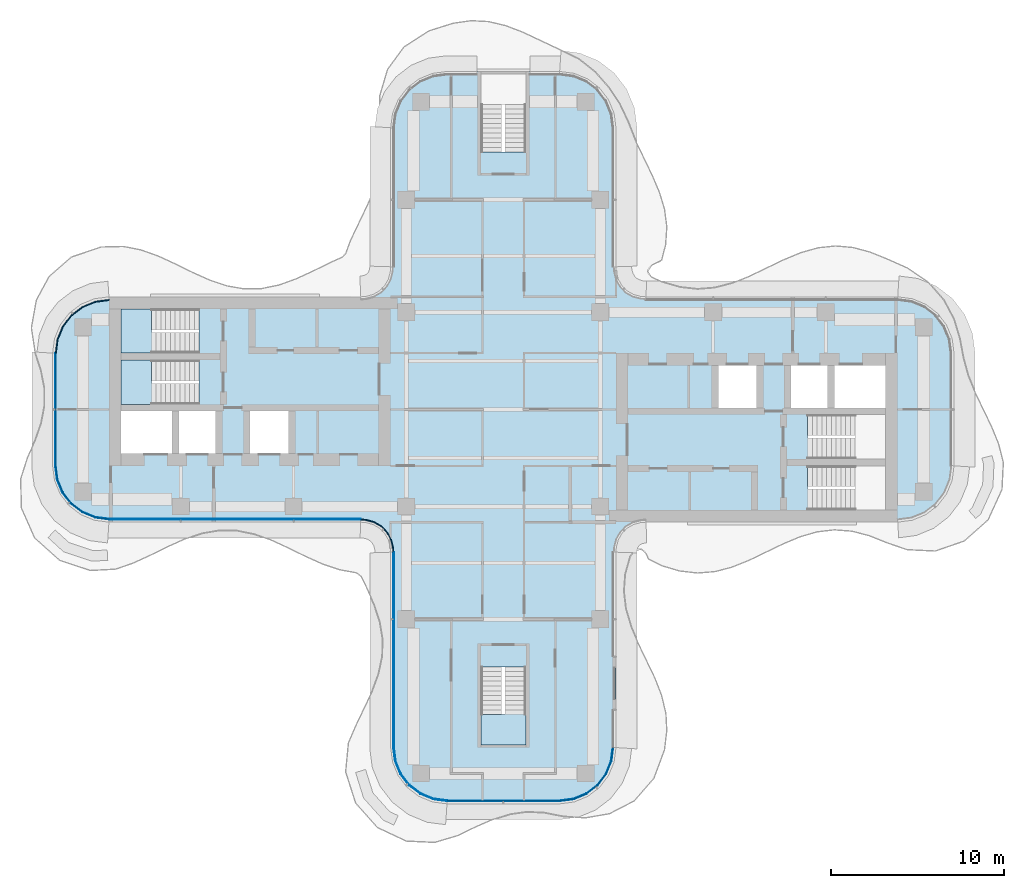
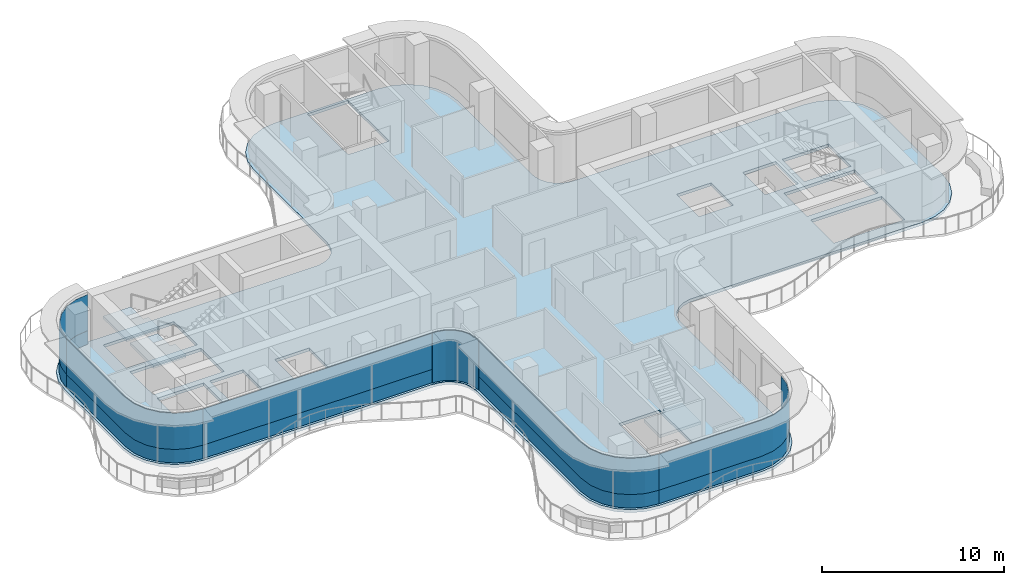
# One storey, part 8 of 15: 11 plates, 4 slabs, 9 elements without a shape of their own.
"""IFC4 building model written with IfcOpenShell, lengths in metres."""

from ifc_helpers import new_model, si_unit, direction, frame, origin, place, context, subcontext, project, spatial, polyline, outline, extrude, source, transform, mapped, material, layer, layer_set, type_object, element, aggregate, save


model = new_model("IFC4")

# Units and contexts
model_context = context("Model", 3, precision=1e-05, world=origin(), true_north=direction((0.0, 1.0)))
body_context = subcontext(model_context, "Body", "Model", "MODEL_VIEW")
ifc_project = project(units=[si_unit("LENGTHUNIT", "METRE"), si_unit("AREAUNIT", "SQUARE_METRE"), si_unit("VOLUMEUNIT", "CUBIC_METRE"), si_unit("PLANEANGLEUNIT", "RADIAN"), si_unit("MASSUNIT", "GRAM", prefix="KILO")], contexts=[model_context])

# Site, building, storey
site_placement = place(None, origin())
site = spatial("IfcSite", under=ifc_project, at=site_placement, CompositionType="ELEMENT")
building_placement = place(site_placement, origin())
building = spatial("IfcBuilding", under=site, at=building_placement, Name="Trellis Farm Tower", CompositionType="ELEMENT")
storey_placement = place(building_placement, frame((0.0, 0.0, 326.199951171875)))
storey = spatial("IfcBuildingStorey", under=building, at=storey_placement, Name="L74", CompositionType="ELEMENT", Elevation=326.199951171875)

# Curtain wall, plate
ifc_material_1 = material(Name="Aluminium and glass curtain wall", Category="aluminium")
ifc_layer_1 = layer(ifc_material_1, 0.18994140625)
ifc_layer_set_1 = layer_set([ifc_layer_1], Name="RIBBON CURTAIN WALL CW1")
curtain_wall_type_1 = type_object("IfcCurtainWallType", Name="RIBBON CURTAIN WALL CW1", PredefinedType="NOTDEFINED", material=ifc_layer_set_1)
placement_1 = place(storey_placement, origin())
curtain_wall_1 = element("IfcCurtainWall", 1, at=placement_1, inside=storey, type_object=curtain_wall_type_1, Name="CW1 001", PredefinedType="NOTDEFINED")
ifc_material_2 = material(Name="Clear insulated glass", Category="glass")
ifc_layer_2 = layer(ifc_material_2, 0.0400390625)
ifc_layer_set_2 = layer_set([ifc_layer_2], Name="CW1 GLASS PANEL 40")
plate_type_1 = type_object("IfcPlateType", Name="CW1 GLASS PANEL 40", PredefinedType="CURTAIN_PANEL", material=ifc_layer_set_2)
placement_2 = place(storey_placement, frame((0.0, 0.0, 0.900146484375)))
plate_1 = element("IfcPlate", 2, at=placement_2, type_object=plate_type_1, Name="PL1 001", PredefinedType="CURTAIN_PANEL", context=body_context, shape_type="SweptSolid", body=[
    extrude(outline(polyline([(-22.740234375, -6.35009765625), (-8.2265625, -6.35009765625), (-8.22509765625, -6.31005859375), (-22.737548828125, -6.31005859375), (-22.740234375, -6.35009765625)])), origin(), (0.0, 0.0, 1.0), 2.419921875),
])

curtain_wall_2 = element("IfcCurtainWall", 3, at=placement_1, inside=storey, type_object=curtain_wall_type_1, Name="CW1 002", PredefinedType="NOTDEFINED")
plate_2 = element("IfcPlate", 4, at=placement_2, type_object=plate_type_1, Name="PL1 002", PredefinedType="CURTAIN_PANEL", context=body_context, shape_type="SweptSolid", body=[
    extrude(outline(polyline([(-6.35009765625, -8.2265625), (-6.35009765625, -19.490234375), (-6.2431640625, -20.302001953125), (-5.93359375, -21.04931640625), (-5.441162109375, -21.691162109375), (-4.79931640625, -22.18359375), (-4.052001953125, -22.4931640625), (-3.240234375, -22.60009765625), (-3.237548828125, -22.56005859375), (-4.04150390625, -22.4541015625), (-4.779296875, -22.148681640625), (-5.41259765625, -21.66259765625), (-5.898681640625, -21.029296875), (-6.2041015625, -20.29150390625), (-6.31005859375, -19.487548828125), (-6.31005859375, -8.22509765625), (-6.35009765625, -8.2265625)])), origin(), (0.0, 0.0, 1.0), 2.419921875),
])

curtain_wall_3 = element("IfcCurtainWall", 5, at=placement_1, inside=storey, type_object=curtain_wall_type_1, Name="CW1 003", PredefinedType="NOTDEFINED")
plate_3 = element("IfcPlate", 6, at=placement_2, type_object=plate_type_1, Name="PL1 003", PredefinedType="CURTAIN_PANEL", context=body_context, shape_type="SweptSolid", body=[
    extrude(outline(polyline([(-3.240234375, -22.60009765625), (3.240234375, -22.60009765625), (4.052001953125, -22.4931640625), (4.79931640625, -22.18359375), (5.441162109375, -21.691162109375), (5.93359375, -21.04931640625), (6.2431640625, -20.302001953125), (6.35009765625, -19.490234375), (6.31005859375, -19.487548828125), (6.2041015625, -20.29150390625), (5.898681640625, -21.029296875), (5.41259765625, -21.66259765625), (4.779296875, -22.148681640625), (4.04150390625, -22.4541015625), (3.237548828125, -22.56005859375), (-3.237548828125, -22.56005859375), (-3.240234375, -22.60009765625)])), origin(), (0.0, 0.0, 1.0), 2.419921875),
])

curtain_wall_4 = element("IfcCurtainWall", 7, at=placement_1, inside=storey, type_object=curtain_wall_type_1, Name="CW1 013", PredefinedType="NOTDEFINED")
plate_4 = element("IfcPlate", 8, at=placement_2, type_object=plate_type_1, Name="PL1 013", PredefinedType="CURTAIN_PANEL", context=body_context, shape_type="SweptSolid", body=[
    extrude(outline(polyline([(-22.740234375, 6.35009765625), (-23.552001953125, 6.2431640625), (-24.29931640625, 5.93359375), (-24.941162109375, 5.441162109375), (-25.43359375, 4.79931640625), (-25.7431640625, 4.052001953125), (-25.85009765625, 3.240234375), (-25.81005859375, 3.237548828125), (-25.7041015625, 4.04150390625), (-25.398681640625, 4.779296875), (-24.91259765625, 5.41259765625), (-24.279296875, 5.898681640625), (-23.54150390625, 6.2041015625), (-22.737548828125, 6.31005859375), (-22.740234375, 6.35009765625)])), origin(), (0.0, 0.0, 1.0), 2.419921875),
])

curtain_wall_5 = element("IfcCurtainWall", 9, at=placement_1, inside=storey, type_object=curtain_wall_type_1, Name="CW1 014", PredefinedType="NOTDEFINED")
plate_5 = element("IfcPlate", 10, at=placement_2, type_object=plate_type_1, Name="PL1 014", PredefinedType="CURTAIN_PANEL", context=body_context, shape_type="SweptSolid", body=[
    extrude(outline(polyline([(-25.85009765625, 3.240234375), (-25.85009765625, -3.240234375), (-25.7431640625, -4.052001953125), (-25.43359375, -4.79931640625), (-24.941162109375, -5.441162109375), (-24.29931640625, -5.93359375), (-23.552001953125, -6.2431640625), (-22.740234375, -6.35009765625), (-22.737548828125, -6.31005859375), (-23.54150390625, -6.2041015625), (-24.279296875, -5.898681640625), (-24.91259765625, -5.41259765625), (-25.398681640625, -4.779296875), (-25.7041015625, -4.04150390625), (-25.81005859375, -3.237548828125), (-25.81005859375, 3.237548828125), (-25.85009765625, 3.240234375)])), origin(), (0.0, 0.0, 1.0), 2.419921875),
])

ifc_layer_3 = layer(ifc_material_1, 0.166015625)
ifc_layer_set_3 = layer_set([ifc_layer_3], Name="WINTER GARDEN CURTAIN WALL CW3")
curtain_wall_type_2 = type_object("IfcCurtainWallType", Name="WINTER GARDEN CURTAIN WALL CW3", PredefinedType="NOTDEFINED", material=ifc_layer_set_3)
curtain_wall_6 = element("IfcCurtainWall", 11, at=placement_1, inside=storey, type_object=curtain_wall_type_2, Name="CW3 001", PredefinedType="NOTDEFINED")
ifc_layer_4 = layer(ifc_material_2, 0.0458984375)
ifc_layer_set_4 = layer_set([ifc_layer_4], Name="CW3 GLASS PANEL 46")
plate_type_2 = type_object("IfcPlateType", Name="CW3 GLASS PANEL 46", PredefinedType="CURTAIN_PANEL", material=ifc_layer_set_4)
plate_6 = element("IfcPlate", 12, at=placement_1, type_object=plate_type_2, Name="PL3 001", PredefinedType="CURTAIN_PANEL", context=body_context, shape_type="SweptSolid", body=[
    extrude(outline(polyline([(-8.2275390625, -6.3798828125), (-8.0078125, -6.394287109375), (-7.89208984375, -6.40966796875), (-7.462158203125, -6.52490234375), (-7.070556640625, -6.7509765625), (-6.7509765625, -7.070556640625), (-6.52490234375, -7.462158203125), (-6.40966796875, -7.89208984375), (-6.394287109375, -8.0078125), (-6.3798828125, -8.2275390625), (-6.333984375, -8.22607421875), (-6.3486328125, -8.003173828125), (-6.364501953125, -7.883056640625), (-6.48193359375, -7.4443359375), (-6.714111328125, -7.04248046875), (-7.04248046875, -6.714111328125), (-7.4443359375, -6.48193359375), (-7.883056640625, -6.364501953125), (-8.003173828125, -6.3486328125), (-8.22607421875, -6.333984375), (-8.2275390625, -6.3798828125)])), origin(), (0.0, 0.0, 1.0), 3.35009765625),
])
aggregate(curtain_wall_6, [plate_6])

# Slab
ifc_material_3 = material(Name="Concrete C40/50", Category="concrete")
ifc_layer_5 = layer(ifc_material_3, 0.199951171875)
ifc_layer_set_5 = layer_set([ifc_layer_5], Name="Composite deck floor slab 200")
slab_type_1 = type_object("IfcSlabType", Name="Composite deck floor slab 200", PredefinedType="FLOOR", material=ifc_layer_set_5)
shared_shape_1 = source(origin(), body_context, "Body", "SweptSolid", [
    extrude(outline(polyline([(-23.59130859375, -6.389404296875), (-24.375, -6.064697265625), (-25.048095703125, -5.548095703125), (-25.564697265625, -4.875), (-25.889404296875, -4.09130859375), (-26.0, -3.25), (-26.0, 3.25), (-25.889404296875, 4.09130859375), (-25.564697265625, 4.875), (-25.048095703125, 5.548095703125), (-24.375, 6.064697265625), (-23.59130859375, 6.389404296875), (-22.75, 6.5), (-8.2314453125, 6.5), (-8.01953125, 6.513916015625), (-7.91552734375, 6.527587890625), (-7.508544921875, 6.63671875), (-7.144287109375, 6.846923828125), (-6.846923828125, 7.144287109375), (-6.63671875, 7.508544921875), (-6.527587890625, 7.91552734375), (-6.513916015625, 8.01953125), (-6.5, 8.2314453125), (-6.5, 16.25), (-6.389404296875, 17.09130859375), (-6.064697265625, 17.875), (-5.548095703125, 18.548095703125), (-4.875, 19.064697265625), (-4.09130859375, 19.389404296875), (-3.25, 19.5), (3.25, 19.5), (4.09130859375, 19.389404296875), (4.875, 19.064697265625), (5.548095703125, 18.548095703125), (6.064697265625, 17.875), (6.389404296875, 17.09130859375), (6.5, 16.25), (6.5, 8.2314453125), (6.513916015625, 8.01953125), (6.527587890625, 7.91552734375), (6.63671875, 7.508544921875), (6.846923828125, 7.144287109375), (7.144287109375, 6.846923828125), (7.508544921875, 6.63671875), (7.91552734375, 6.527587890625), (8.01953125, 6.513916015625), (8.2314453125, 6.5), (22.75, 6.5), (23.59130859375, 6.389404296875), (24.375, 6.064697265625), (25.048095703125, 5.548095703125), (25.564697265625, 4.875), (25.889404296875, 4.09130859375), (26.0, 3.25), (26.0, -3.25), (25.889404296875, -4.09130859375), (25.564697265625, -4.875), (25.048095703125, -5.548095703125), (24.375, -6.064697265625), (23.59130859375, -6.389404296875), (22.75, -6.5), (8.2314453125, -6.5), (8.01953125, -6.513916015625), (7.91552734375, -6.527587890625), (7.508544921875, -6.63671875), (7.144287109375, -6.846923828125), (6.846923828125, -7.144287109375), (6.63671875, -7.508544921875), (6.527587890625, -7.91552734375), (6.513916015625, -8.01953125), (6.5, -8.2314453125), (6.5, -19.5), (6.389404296875, -20.34130859375), (6.064697265625, -21.125), (5.548095703125, -21.798095703125), (4.875, -22.314697265625), (4.09130859375, -22.639404296875), (3.25, -22.75), (-3.25, -22.75), (-4.09130859375, -22.639404296875), (-4.875, -22.314697265625), (-5.548095703125, -21.798095703125), (-6.064697265625, -21.125), (-6.389404296875, -20.34130859375), (-6.5, -19.5), (-6.5, -8.2314453125), (-6.513916015625, -8.01953125), (-6.527587890625, -7.91552734375), (-6.63671875, -7.508544921875), (-6.846923828125, -7.144287109375), (-7.144287109375, -6.846923828125), (-7.508544921875, -6.63671875), (-7.91552734375, -6.527587890625), (-8.01953125, -6.513916015625), (-8.2314453125, -6.5), (-22.75, -6.5), (-23.59130859375, -6.389404296875)]), holes=[polyline([(-22.050048828125, -2.550048828125), (-19.10009765625, -2.550048828125), (-19.10009765625, -0.10009765625), (-22.050048828125, -0.10009765625), (-22.050048828125, -2.550048828125)]), polyline([(-18.699951171875, -0.10009765625), (-18.699951171875, -2.550048828125), (-16.60009765625, -2.550048828125), (-16.60009765625, -0.10009765625), (-18.699951171875, -0.10009765625)]), polyline([(-14.60009765625, -0.10009765625), (-14.60009765625, -2.550048828125), (-12.39990234375, -2.550048828125), (-12.39990234375, -0.10009765625), (-14.60009765625, -0.10009765625)]), polyline([(-17.56201171875, 2.85009765625), (-22.050048828125, 2.85009765625), (-22.050048828125, 0.300048828125), (-17.56005859375, 0.300048828125), (-17.56005859375, 1.5), (-17.550048828125, 1.5), (-17.550048828125, 1.64990234375), (-17.56201171875, 1.64990234375), (-17.56201171875, 2.85009765625)]), polyline([(-17.56201171875, 4.60009765625), (-17.56201171875, 5.800048828125), (-22.050048828125, 5.800048828125), (-22.050048828125, 3.25), (-17.56005859375, 3.25), (-17.56005859375, 4.449951171875), (-17.550048828125, 4.449951171875), (-17.550048828125, 4.60009765625), (-17.56201171875, 4.60009765625)]), polyline([(0.10009765625, 14.862060546875), (1.300048828125, 14.862060546875), (1.300048828125, 19.35009765625), (-1.300048828125, 19.35009765625), (-1.300048828125, 14.860107421875), (-0.10009765625, 14.860107421875), (-0.10009765625, 14.85009765625), (0.10009765625, 14.85009765625), (0.10009765625, 14.862060546875)]), polyline([(-1.300048828125, -14.862060546875), (-1.300048828125, -19.35009765625), (1.300048828125, -19.35009765625), (1.300048828125, -14.860107421875), (0.10009765625, -14.860107421875), (0.10009765625, -14.85009765625), (-0.10009765625, -14.85009765625), (-0.10009765625, -14.862060546875), (-1.300048828125, -14.862060546875)]), polyline([(17.56201171875, -4.60009765625), (17.56201171875, -5.800048828125), (22.050048828125, -5.800048828125), (22.050048828125, -3.25), (17.56005859375, -3.25), (17.56005859375, -4.449951171875), (17.550048828125, -4.449951171875), (17.550048828125, -4.60009765625), (17.56201171875, -4.60009765625)]), polyline([(17.56201171875, -1.64990234375), (17.56201171875, -2.85009765625), (22.050048828125, -2.85009765625), (22.050048828125, -0.300048828125), (17.56005859375, -0.300048828125), (17.56005859375, -1.5), (17.550048828125, -1.5), (17.550048828125, -1.64990234375), (17.56201171875, -1.64990234375)]), polyline([(14.60009765625, 2.550048828125), (12.39990234375, 2.550048828125), (12.39990234375, 0.10009765625), (14.60009765625, 0.10009765625), (14.60009765625, 2.550048828125)]), polyline([(18.699951171875, 0.10009765625), (18.699951171875, 2.550048828125), (16.60009765625, 2.550048828125), (16.60009765625, 0.10009765625), (18.699951171875, 0.10009765625)]), polyline([(22.050048828125, 0.10009765625), (22.050048828125, 2.550048828125), (19.10009765625, 2.550048828125), (19.10009765625, 0.10009765625), (22.050048828125, 0.10009765625)])]), origin(), (0.0, 0.0, 1.0), 0.199951171875),
])
slab_1_placement = place(storey_placement, frame((0.0, 0.0, -0.199951171875)))
element("IfcSlab", 13, at=slab_1_placement, inside=storey, type_object=slab_type_1, Name="Floor slab", PredefinedType="FLOOR", context=body_context, shape_type="MappedRepresentation", body=[
    mapped(shared_shape_1, transform((0.0, 0.0, 0.0))),
])

# Stair, slab
ifc_material_4 = material(Name="Concrete C50/60", Category="concrete")
stair_type = type_object("IfcStairType", Name="CORE EXIT STAIR 22 RISERS 177 MM", PredefinedType="HALF_TURN_STAIR", material=ifc_material_4)
stair_1 = element("IfcStair", 14, at=placement_1, inside=storey, type_object=stair_type, Name="Exit stair S", PredefinedType="HALF_TURN_STAIR")
ifc_layer_6 = layer(ifc_material_4, 0.18994140625)
ifc_layer_set_6 = layer_set([ifc_layer_6], Name="CORE STAIR LANDING 190 CONCRETE C50/60")
slab_type_2 = type_object("IfcSlabType", Name="CORE STAIR LANDING 190 CONCRETE C50/60", PredefinedType="LANDING", material=ifc_layer_set_6)
shared_shape_2 = source(origin(), body_context, "Body", "SweptSolid", [
    extrude(outline(polyline([(1.300048828125, -19.35009765625), (-1.300048828125, -19.35009765625), (-1.300048828125, -17.60009765625), (-1.300048828125, -17.590087890625), (-0.10009765625, -17.590087890625), (-0.10009765625, -17.60009765625), (0.10009765625, -17.60009765625), (0.10009765625, -17.27197265625), (1.300048828125, -17.27197265625), (1.300048828125, -17.60009765625), (1.300048828125, -19.35009765625)])), origin(), (0.0, 0.0, 1.0), 0.18994140625),
])
placement_3 = place(storey_placement, frame((0.0, 0.0, 1.760009765625)))
slab_2 = element("IfcSlab", 15, at=placement_3, type_object=slab_type_2, Name="STS landing 1", PredefinedType="LANDING", context=body_context, shape_type="MappedRepresentation", body=[
    mapped(shared_shape_2, transform((0.0, 0.0, 0.0))),
])
aggregate(stair_1, [slab_2])

stair_2 = element("IfcStair", 16, at=placement_1, inside=storey, type_object=stair_type, Name="Exit stair W1", PredefinedType="HALF_TURN_STAIR")
shared_shape_3 = source(origin(), body_context, "Body", "SweptSolid", [
    extrude(outline(polyline([(-19.971923828125, 4.449951171875), (-19.971923828125, 3.25), (-20.300048828125, 3.25), (-22.050048828125, 3.25), (-22.050048828125, 5.800048828125), (-20.300048828125, 5.800048828125), (-20.2900390625, 5.800048828125), (-20.2900390625, 4.60009765625), (-20.300048828125, 4.60009765625), (-20.300048828125, 4.449951171875), (-19.971923828125, 4.449951171875)])), origin(), (0.0, 0.0, 1.0), 0.18994140625),
])
slab_3 = element("IfcSlab", 17, at=placement_3, type_object=slab_type_2, Name="STW1 landing 1", PredefinedType="LANDING", context=body_context, shape_type="MappedRepresentation", body=[
    mapped(shared_shape_3, transform((0.0, 0.0, 0.0))),
])
aggregate(stair_2, [slab_3])

stair_3 = element("IfcStair", 18, at=placement_1, inside=storey, type_object=stair_type, Name="Exit stair W2", PredefinedType="HALF_TURN_STAIR")
shared_shape_4 = source(origin(), body_context, "Body", "SweptSolid", [
    extrude(outline(polyline([(-19.971923828125, 1.5), (-19.971923828125, 0.300048828125), (-20.300048828125, 0.300048828125), (-22.050048828125, 0.300048828125), (-22.050048828125, 2.85009765625), (-20.300048828125, 2.85009765625), (-20.2900390625, 2.85009765625), (-20.2900390625, 1.64990234375), (-20.300048828125, 1.64990234375), (-20.300048828125, 1.5), (-19.971923828125, 1.5)])), origin(), (0.0, 0.0, 1.0), 0.18994140625),
])
slab_4 = element("IfcSlab", 19, at=placement_3, type_object=slab_type_2, Name="STW2 landing 1", PredefinedType="LANDING", context=body_context, shape_type="MappedRepresentation", body=[
    mapped(shared_shape_4, transform((0.0, 0.0, 0.0))),
])
aggregate(stair_3, [slab_4])

# Plate
ifc_material_5 = material(Name="Sandstone faced insulated panel", Category="masonry")
ifc_layer_7 = layer(ifc_material_5, 0.050048828125)
ifc_layer_set_7 = layer_set([ifc_layer_7], Name="CW1 STONE SPANDREL PANEL 50")
plate_type_3 = type_object("IfcPlateType", Name="CW1 STONE SPANDREL PANEL 50", PredefinedType="CURTAIN_PANEL", material=ifc_layer_set_7)
shared_shape_5 = source(origin(), body_context, "Body", "SweptSolid", [
    extrude(outline(polyline([(-6.35009765625, -8.2265625), (-6.35009765625, -19.490234375), (-6.2431640625, -20.302001953125), (-5.93359375, -21.04931640625), (-5.441162109375, -21.691162109375), (-4.79931640625, -22.18359375), (-4.052001953125, -22.4931640625), (-3.240234375, -22.60009765625), (-3.23681640625, -22.550048828125), (-4.0390625, -22.4443359375), (-4.774169921875, -22.139892578125), (-5.405517578125, -21.655517578125), (-5.889892578125, -21.024169921875), (-6.1943359375, -20.2890625), (-6.300048828125, -19.48681640625), (-6.300048828125, -8.224853515625), (-6.35009765625, -8.2265625)])), origin(), (0.0, 0.0, 1.0), 0.900146484375),
])
plate_7 = element("IfcPlate", 20, at=placement_1, type_object=plate_type_3, Name="PS1 002", PredefinedType="CURTAIN_PANEL", context=body_context, shape_type="MappedRepresentation", body=[
    mapped(shared_shape_5, transform((0.0, 0.0, 0.0))),
])

aggregate(curtain_wall_2, [plate_2, plate_7])

shared_shape_6 = source(origin(), body_context, "Body", "SweptSolid", [
    extrude(outline(polyline([(-3.240234375, -22.60009765625), (3.240234375, -22.60009765625), (4.052001953125, -22.4931640625), (4.79931640625, -22.18359375), (5.441162109375, -21.691162109375), (5.93359375, -21.04931640625), (6.2431640625, -20.302001953125), (6.35009765625, -19.490234375), (6.300048828125, -19.48681640625), (6.1943359375, -20.2890625), (5.889892578125, -21.024169921875), (5.405517578125, -21.655517578125), (4.774169921875, -22.139892578125), (4.0390625, -22.4443359375), (3.23681640625, -22.550048828125), (-3.23681640625, -22.550048828125), (-3.240234375, -22.60009765625)])), origin(), (0.0, 0.0, 1.0), 0.900146484375),
])
plate_8 = element("IfcPlate", 21, at=placement_1, type_object=plate_type_3, Name="PS1 003", PredefinedType="CURTAIN_PANEL", context=body_context, shape_type="MappedRepresentation", body=[
    mapped(shared_shape_6, transform((0.0, 0.0, 0.0))),
])

aggregate(curtain_wall_3, [plate_3, plate_8])

shared_shape_7 = source(origin(), body_context, "Body", "SweptSolid", [
    extrude(outline(polyline([(-22.740234375, -6.35009765625), (-8.2265625, -6.35009765625), (-8.224853515625, -6.300048828125), (-22.73681640625, -6.300048828125), (-22.740234375, -6.35009765625)])), origin(), (0.0, 0.0, 1.0), 0.900146484375),
])
plate_9 = element("IfcPlate", 22, at=placement_1, type_object=plate_type_3, Name="PS1 001", PredefinedType="CURTAIN_PANEL", context=body_context, shape_type="MappedRepresentation", body=[
    mapped(shared_shape_7, transform((0.0, 0.0, 0.0))),
])

aggregate(curtain_wall_1, [plate_1, plate_9])

shared_shape_8 = source(origin(), body_context, "Body", "SweptSolid", [
    extrude(outline(polyline([(-22.740234375, 6.35009765625), (-23.552001953125, 6.2431640625), (-24.29931640625, 5.93359375), (-24.941162109375, 5.441162109375), (-25.43359375, 4.79931640625), (-25.7431640625, 4.052001953125), (-25.85009765625, 3.240234375), (-25.800048828125, 3.23681640625), (-25.6943359375, 4.0390625), (-25.389892578125, 4.774169921875), (-24.905517578125, 5.405517578125), (-24.274169921875, 5.889892578125), (-23.5390625, 6.1943359375), (-22.73681640625, 6.300048828125), (-22.740234375, 6.35009765625)])), origin(), (0.0, 0.0, 1.0), 0.900146484375),
])
plate_10 = element("IfcPlate", 23, at=placement_1, type_object=plate_type_3, Name="PS1 013", PredefinedType="CURTAIN_PANEL", context=body_context, shape_type="MappedRepresentation", body=[
    mapped(shared_shape_8, transform((0.0, 0.0, 0.0))),
])

aggregate(curtain_wall_4, [plate_4, plate_10])

shared_shape_9 = source(origin(), body_context, "Body", "SweptSolid", [
    extrude(outline(polyline([(-25.85009765625, 3.240234375), (-25.85009765625, -3.240234375), (-25.7431640625, -4.052001953125), (-25.43359375, -4.79931640625), (-24.941162109375, -5.441162109375), (-24.29931640625, -5.93359375), (-23.552001953125, -6.2431640625), (-22.740234375, -6.35009765625), (-22.73681640625, -6.300048828125), (-23.5390625, -6.1943359375), (-24.274169921875, -5.889892578125), (-24.905517578125, -5.405517578125), (-25.389892578125, -4.774169921875), (-25.6943359375, -4.0390625), (-25.800048828125, -3.23681640625), (-25.800048828125, 3.23681640625), (-25.85009765625, 3.240234375)])), origin(), (0.0, 0.0, 1.0), 0.900146484375),
])
plate_11 = element("IfcPlate", 24, at=placement_1, type_object=plate_type_3, Name="PS1 014", PredefinedType="CURTAIN_PANEL", context=body_context, shape_type="MappedRepresentation", body=[
    mapped(shared_shape_9, transform((0.0, 0.0, 0.0))),
])

aggregate(curtain_wall_5, [plate_5, plate_11])

save(model, "model.ifc")
